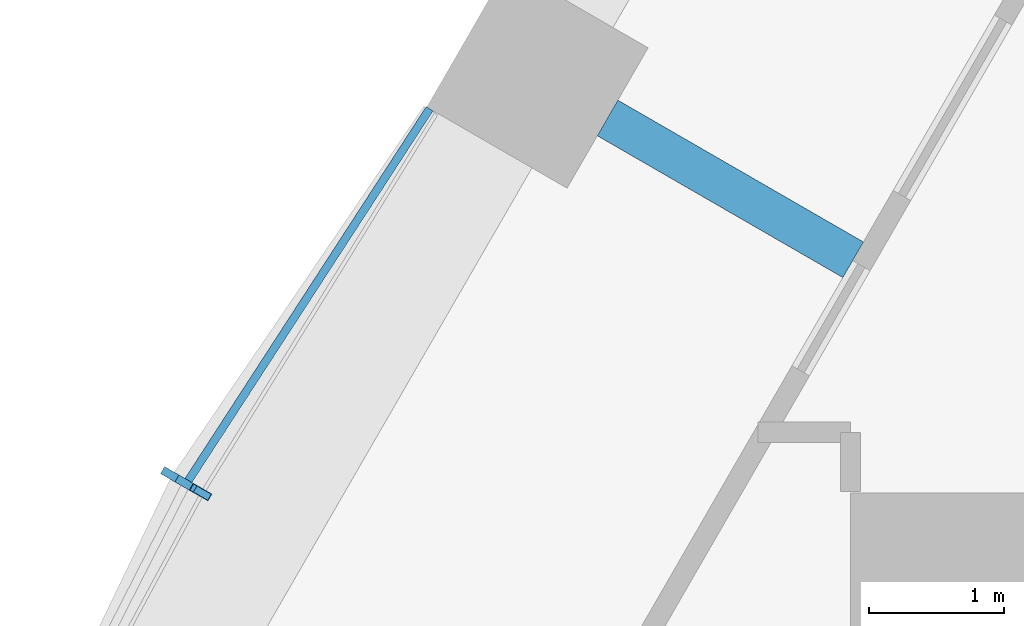
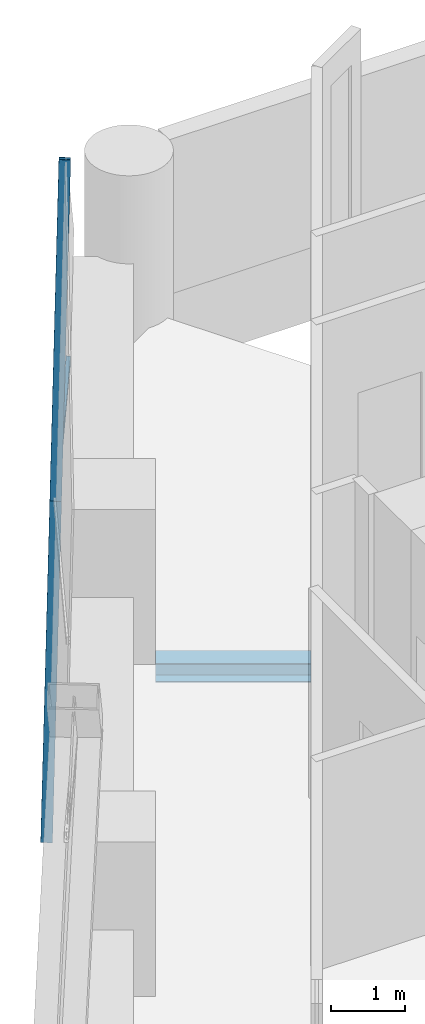
# One storey, part 4 of 17: 3 members, 1 beam, 2 elements without a shape of their own.
"""IFC4 building model written with IfcOpenShell, lengths in metres."""

import ifcopenshell
import ifcopenshell.guid

model = None  # the IFC model being written
_history = None  # IfcOwnerHistory: only IFC2X3 demands one
_inside = {}  # id of a spatial element -> (the spatial element, [elements in it])
_under = {}  # id of a project, library or spatial element -> (it, [spatial elements below it])
_declared = {}  # id of a project -> (the project, [libraries it declares])
_typed = {}  # id of a type object -> (the type object, [elements of that type])
_made_of = {}  # id of a material, layer set ... -> (it, [elements and type objects made of it])


def new_model(schema):
    """Start an empty IFC model of exactly this schema.

    Asked for "IFC4X3", IfcOpenShell would pick the latest addendum, in which some entities
    have other attributes; the version numbers below select the first issue.
    IFC2X3 requires an IfcOwnerHistory on every rooted entity: one is made here for all.
    """
    global model, _history
    if schema == "IFC4X3":
        model = ifcopenshell.file(schema_version=(4, 3, 0, 0))
    else:
        model = ifcopenshell.file(schema=schema)
    _inside.clear()
    _under.clear()
    _declared.clear()
    _typed.clear()
    _made_of.clear()
    _history = None
    if model.schema == "IFC2X3":
        org = make("IfcOrganization", Name="unknown")
        user = make(
            "IfcPersonAndOrganization",
            ThePerson=make("IfcPerson", FamilyName="unknown"),
            TheOrganization=org,
        )
        app = make(
            "IfcApplication",
            ApplicationDeveloper=org,
            Version="unknown",
            ApplicationFullName="unknown",
            ApplicationIdentifier="unknown",
        )
        _history = make(
            "IfcOwnerHistory",
            OwningUser=user,
            OwningApplication=app,
            ChangeAction="ADDED",
            CreationDate=0,
        )
    return model


def make(cls, **values):
    """One entity of the class cls with the attributes given. An attribute that is None is left unset."""
    return model.create_entity(
        cls, **{name: value for name, value in values.items() if value is not None}
    )


def rooted(cls, **values):
    """An entity with a GlobalId (a new one), such as an element, a storey or a relation."""
    return make(cls, GlobalId=ifcopenshell.guid.new(), OwnerHistory=_history, **values)


def si_unit(unit_type, name, prefix=None):
    """IfcSIUnit, for example si_unit("LENGTHUNIT", "METRE", prefix="MILLI")."""
    return make("IfcSIUnit", UnitType=unit_type, Prefix=prefix, Name=name)


def assignment(units):
    """IfcUnitAssignment: the units of a project."""
    return None if units is None else make("IfcUnitAssignment", Units=units)


def point(xyz):
    """IfcCartesianPoint."""
    return None if xyz is None else make("IfcCartesianPoint", Coordinates=xyz)


def direction(xyz):
    """IfcDirection."""
    return None if xyz is None else make("IfcDirection", DirectionRatios=xyz)


def frame(location, z_axis=None, x_axis=None):
    """IfcAxis2Placement3D, a coordinate frame: its origin and axes. An axis left out is left unset."""
    return make(
        "IfcAxis2Placement3D",
        Location=point(location),
        Axis=direction(z_axis),
        RefDirection=direction(x_axis),
    )


def frame_2d(location, x_axis=None):
    """IfcAxis2Placement2D, a coordinate frame in the plane: its origin and x axis."""
    return make(
        "IfcAxis2Placement2D", Location=point(location), RefDirection=direction(x_axis)
    )


def origin():
    """The frame at (0, 0, 0) with its axes left unset."""
    return frame((0.0, 0.0, 0.0))


def origin_2d():
    """The frame at (0, 0) in the plane with its x axis left unset."""
    return frame_2d((0.0, 0.0))


def place(relative_to, where):
    """IfcLocalPlacement: puts the frame where relative to a parent placement (None: the world)."""
    return make(
        "IfcLocalPlacement", PlacementRelTo=relative_to, RelativePlacement=where
    )


def context(
    kind, dimensions, precision=None, world=None, true_north=None, identifier=None
):
    """IfcGeometricRepresentationContext, for example the 3D "Model" context."""
    return make(
        "IfcGeometricRepresentationContext",
        ContextIdentifier=identifier,
        ContextType=kind,
        CoordinateSpaceDimension=dimensions,
        Precision=precision,
        WorldCoordinateSystem=world,
        TrueNorth=true_north,
    )


def subcontext(parent, identifier, kind, view, scale=None):
    """IfcGeometricRepresentationSubContext, for example "Body" below "Model"."""
    return make(
        "IfcGeometricRepresentationSubContext",
        ContextIdentifier=identifier,
        ContextType=kind,
        ParentContext=parent,
        TargetScale=scale,
        TargetView=view,
    )


def project(units=None, contexts=None):
    """IfcProject with its units and contexts."""
    return rooted(
        "IfcProject",
        Name="project",
        RepresentationContexts=contexts,
        UnitsInContext=assignment(units),
    )


def spatial(cls, under=None, at=None, **own):
    """A site, building, storey or space (cls), placed at a placement, below another one or the project."""
    s = rooted(cls, ObjectPlacement=at, **own)
    if under is not None:
        _under.setdefault(under.id(), (under, []))[1].append(s)
    return s


def profile(cls, at=None, kind="AREA", **sizes):
    """A parametric profile (cls). Its sizes go by their IFC names, for example OverallWidth=200.0."""
    return make(cls, ProfileType=kind, Position=at, **sizes)


def hollow_rectangle(**sizes):
    """IfcRectangleHollowProfileDef."""
    return profile("IfcRectangleHollowProfileDef", **sizes)


def i_section(**sizes):
    """IfcIShapeProfileDef."""
    return profile("IfcIShapeProfileDef", **sizes)


def extrude(swept, where, along, depth):
    """IfcExtrudedAreaSolid: the profile swept, set in the frame where, extruded along a direction by depth."""
    return make(
        "IfcExtrudedAreaSolid",
        SweptArea=swept,
        Position=where,
        ExtrudedDirection=direction(along),
        Depth=depth,
    )


def shape(context_of_items, identifier, shape_type, items):
    """IfcShapeRepresentation: the items that make up one representation, for example the "Body"."""
    return make(
        "IfcShapeRepresentation",
        ContextOfItems=context_of_items,
        RepresentationIdentifier=identifier,
        RepresentationType=shape_type,
        Items=items,
    )


def material(Name=None, Category=None):
    """IfcMaterial."""
    return make("IfcMaterial", Name=Name, Category=Category)


def material_profile(
    of_material, cross_section, Name=None, Category=None, Priority=None
):
    """IfcMaterialProfile: a cross section and its material."""
    return make(
        "IfcMaterialProfile",
        Name=Name,
        Material=of_material,
        Profile=cross_section,
        Priority=Priority,
        Category=Category,
    )


def profile_set(profiles, Name=None, composite=None):
    """IfcMaterialProfileSet."""
    return make(
        "IfcMaterialProfileSet",
        Name=Name,
        MaterialProfiles=profiles,
        CompositeProfile=composite,
    )


def made_of(thing, what):
    """Note that an element or type object is made of a material, layer set ...; save() writes the relation."""
    if what is not None:
        _made_of.setdefault(what.id(), (what, []))[1].append(thing)
    return thing


def type_object(cls, material=None, **own):
    """A type object (cls), such as IfcWallType, which elements share."""
    return made_of(rooted(cls, **own), material)


def element(
    cls,
    number,
    at=None,
    inside=None,
    cuts=None,
    type_object=None,
    material=None,
    context=None,
    identifier="Body",
    shape_type=None,
    held_by="IfcProductDefinitionShape",
    body=None,
    shapes=None,
    **own,
):
    """One element of the class cls, such as IfcWall. Its Tag is "e" and its number.

    at: its placement. inside: the storey or other place that contains it. cuts: it is an
    opening in that element (IfcRelVoidsElement). A single representation is given by context,
    identifier, shape_type and body (its items); several are given by shapes. held_by: the class
    of the entity that holds the representations. save() writes the other relations.
    """
    e = rooted(cls, Tag="e%d" % number, ObjectPlacement=at, **own)
    if body is not None:
        shapes = [shape(context, identifier, shape_type, body)]
    if shapes is not None:
        e.Representation = make(held_by, Representations=shapes)
    if inside is not None:
        _inside.setdefault(inside.id(), (inside, []))[1].append(e)
    if cuts is not None:
        rooted(
            "IfcRelVoidsElement", RelatingBuildingElement=cuts, RelatedOpeningElement=e
        )
    if type_object is not None:
        _typed.setdefault(type_object.id(), (type_object, []))[1].append(e)
    return made_of(e, material)


def aggregate(whole, parts):
    """IfcRelAggregates: a whole, such as a stair, and the parts it consists of."""
    return rooted("IfcRelAggregates", RelatingObject=whole, RelatedObjects=parts)


def save(model, path):
    """Write the relations noted so far, then the file.

    IfcRelAggregates (storeys below a building ...), IfcRelContainedInSpatialStructure (elements
    in a storey), IfcRelDefinesByType, IfcRelAssociatesMaterial and IfcRelDeclares: one each for
    every whole, place, type object, material and project.
    """
    for whole, parts in _under.values():
        aggregate(whole, parts)
    for where, things in _inside.values():
        rooted(
            "IfcRelContainedInSpatialStructure",
            RelatedElements=things,
            RelatingStructure=where,
        )
    for kind, things in _typed.values():
        rooted("IfcRelDefinesByType", RelatedObjects=things, RelatingType=kind)
    for what, things in _made_of.values():
        rooted("IfcRelAssociatesMaterial", RelatedObjects=things, RelatingMaterial=what)
    for by, libraries in _declared.values():
        rooted("IfcRelDeclares", RelatingContext=by, RelatedDefinitions=libraries)
    model.write(path)


model = new_model("IFC4")

# Units and contexts
model_context = context("Model", 3, precision=1e-05, world=origin(), true_north=direction((0.0, 1.0)))
body_context = subcontext(model_context, "Body", "Model", "MODEL_VIEW")
ifc_project = project(units=[si_unit("LENGTHUNIT", "METRE"), si_unit("AREAUNIT", "SQUARE_METRE"), si_unit("VOLUMEUNIT", "CUBIC_METRE"), si_unit("PLANEANGLEUNIT", "RADIAN"), si_unit("MASSUNIT", "GRAM", prefix="KILO")], contexts=[model_context])

# Site, building, storey
site_placement = place(None, origin())
site = spatial("IfcSite", under=ifc_project, at=site_placement, CompositionType="ELEMENT")
building_placement = place(site_placement, origin())
building = spatial("IfcBuilding", under=site, at=building_placement, Name="Ostrander Bayou Hotel Tower", CompositionType="ELEMENT")
storey_placement = place(building_placement, frame((0.0, 0.0, 127.25)))
storey = spatial("IfcBuildingStorey", under=building, at=storey_placement, Name="L31", CompositionType="ELEMENT", Elevation=127.25)

# Curtain wall, members
ifc_material_1 = material(Name="Aluminium and clear glass", Category="aluminium")
curtain_wall_type = type_object("IfcCurtainWallType", Name="CW-LAT lattice glazing", PredefinedType="NOTDEFINED", material=ifc_material_1)
curtain_wall_1_placement = place(storey_placement, origin())
curtain_wall_1 = element("IfcCurtainWall", 1, at=curtain_wall_1_placement, inside=storey, type_object=curtain_wall_type, Name="CW-LAT L31 NW 1", PredefinedType="NOTDEFINED")
ifc_material_2 = material(Name="Aluminium", Category="aluminium")
ifc_material_profile_1 = material_profile(ifc_material_2, hollow_rectangle(XDim=0.06005859375, YDim=0.159912109375, WallThickness=0.00390625, at=origin_2d()))
ifc_profile_set_1 = profile_set([ifc_material_profile_1], Name="Aluminium")
member_type_1 = type_object("IfcMemberType", Name="CW-LA mullion 60 x 160 mm", PredefinedType="MULLION", material=ifc_profile_set_1)
member_1_placement = place(storey_placement, frame((-17.025146484375, 9.82958984375, -0.60009765625), z_axis=(0.018875715587, -0.010934897306, 0.999762039378), x_axis=(0.501271486133, 0.865290065348, 0.0)))
member_1 = element("IfcMember", 2, at=member_1_placement, type_object=member_type_1, Name="CW-LAT mullion 1", PredefinedType="MULLION", context=body_context, shape_type="SweptSolid", body=[
    extrude(hollow_rectangle(XDim=0.06005859375, YDim=0.159912109375, WallThickness=0.00390625, at=origin_2d()), origin(), (0.0, 0.0, 1.0), 5.626220703125),
])
member_2_placement = place(storey_placement, frame((-16.9189453125, 9.76806640625, 5.02490234375), z_axis=(0.018919101482, -0.010891501083, 0.999761693007), x_axis=(0.498919206287, 0.866648501757, 0.0)))
member_2 = element("IfcMember", 3, at=member_2_placement, type_object=member_type_1, Name="CW-LAT mullion 2", PredefinedType="MULLION", context=body_context, shape_type="SweptSolid", body=[
    extrude(hollow_rectangle(XDim=0.06005859375, YDim=0.159912109375, WallThickness=0.00390625, at=origin_2d()), origin(), (0.0, 0.0, 1.0), 5.626220703125),
])
aggregate(curtain_wall_1, [member_1, member_2])

# Curtain wall, member
curtain_wall_2_placement = place(storey_placement, origin())
curtain_wall_2 = element("IfcCurtainWall", 4, at=curtain_wall_2_placement, inside=storey, type_object=curtain_wall_type, Name="CW-LAT L31 NW 2", PredefinedType="NOTDEFINED")
ifc_material_3 = material(Name="Aluminium", Category="aluminium")
ifc_material_profile_2 = material_profile(ifc_material_3, hollow_rectangle(XDim=0.06005859375, YDim=0.1201171875, WallThickness=0.00390625, at=origin_2d()))
ifc_profile_set_2 = profile_set([ifc_material_profile_2], Name="Aluminium")
member_type_2 = type_object("IfcMemberType", Name="CW-LA transom 60 x 120 mm", PredefinedType="USERDEFINED", material=ifc_profile_set_2)
member_3_placement = place(storey_placement, frame((-16.9189453125, 9.76806640625, 5.02490234375), z_axis=(0.544329947898, 0.838871210509, 0.0), x_axis=(-0.838871210509, 0.544329947898, 0.0)))
member_3 = element("IfcMember", 5, at=member_3_placement, type_object=member_type_2, Name="CW-LAT transom 3", ObjectType="TRANSOM", PredefinedType="USERDEFINED", context=body_context, shape_type="SweptSolid", body=[
    extrude(hollow_rectangle(XDim=0.06005859375, YDim=0.1201171875, WallThickness=0.00390625, at=origin_2d()), origin(), (0.0, 0.0, 1.0), 3.311279296875),
])
aggregate(curtain_wall_2, [member_3])

# Beam
ifc_material_4 = material(Name="Steel ASTM A992", Category="steel")
ifc_material_profile_3 = material_profile(ifc_material_4, i_section(OverallWidth=0.3046875, OverallDepth=0.307861328125, WebThickness=0.010009765625, FlangeThickness=0.015380859375, at=origin_2d()))
ifc_profile_set_3 = profile_set([ifc_material_profile_3], Name="Steel ASTM A992")
beam_type = type_object("IfcBeamType", Name="LB1 loggia bracket W12x65", PredefinedType="BEAM", material=ifc_profile_set_3)
beam_placement = place(storey_placement, frame((-13.798828125, 12.477783203125, -0.453857421875), z_axis=(0.866038466041, -0.499977374825, 0.0), x_axis=(0.499977374825, 0.866038466041, 0.0)))
element("IfcBeam", 6, at=beam_placement, inside=storey, type_object=beam_type, Name="LB1 L31 NW1", PredefinedType="BEAM", context=body_context, shape_type="SweptSolid", body=[
    extrude(i_section(OverallWidth=0.3046875, OverallDepth=0.307861328125, WebThickness=0.010009765625, FlangeThickness=0.015380859375, at=origin_2d()), origin(), (0.0, 0.0, 1.0), 2.10009765625),
])

save(model, "model.ifc")
